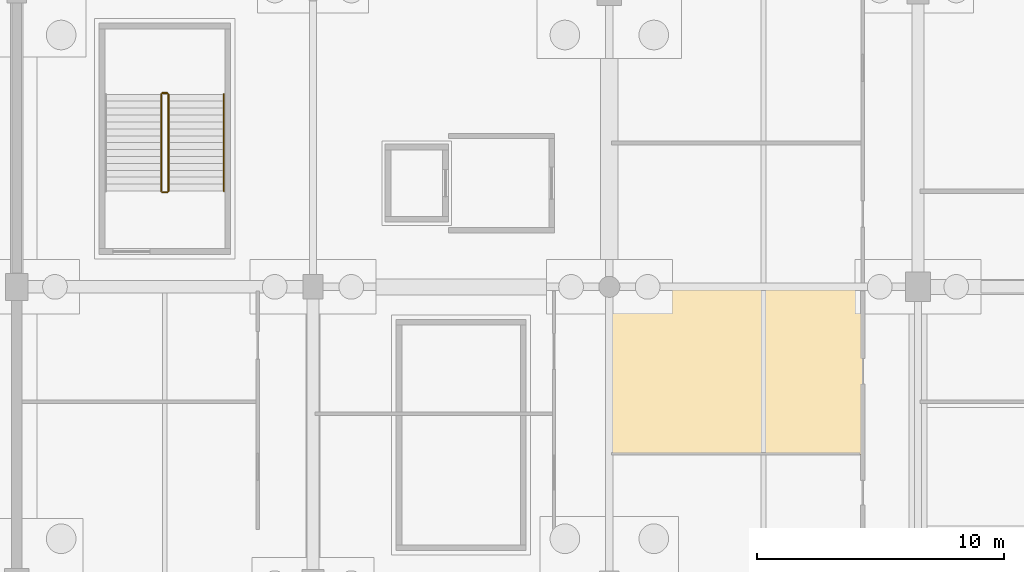
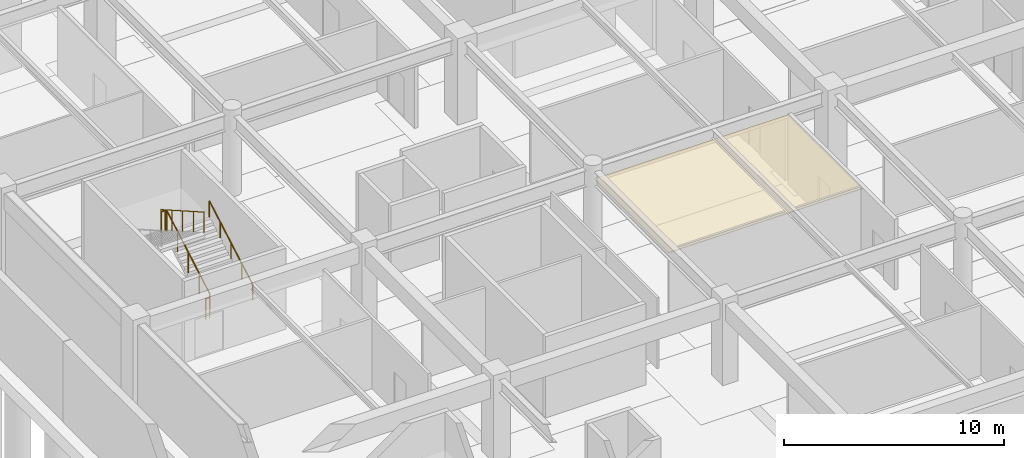
# One storey, part 49 of 56: 5 railings, 1 covering.
"""IFC4 building model written with IfcOpenShell, lengths in metres."""

from ifc_helpers import new_model, si_unit, direction, frame, origin, origin_2d, place, context, subcontext, project, spatial, polyline, circle, outline, extrude, material, layer, layer_set, type_object, element, save


model = new_model("IFC4")

# Units and contexts
model_context = context("Model", 3, precision=1e-05, world=origin(), true_north=direction((0.0, 1.0)))
body_context = subcontext(model_context, "Body", "Model", "MODEL_VIEW")
ifc_project = project(units=[si_unit("LENGTHUNIT", "METRE"), si_unit("AREAUNIT", "SQUARE_METRE"), si_unit("VOLUMEUNIT", "CUBIC_METRE"), si_unit("PLANEANGLEUNIT", "RADIAN"), si_unit("MASSUNIT", "GRAM", prefix="KILO")], contexts=[model_context])

# Site, building, storey
site_placement = place(None, origin())
site = spatial("IfcSite", under=ifc_project, at=site_placement, CompositionType="ELEMENT")
building_placement = place(site_placement, origin())
building = spatial("IfcBuilding", under=site, at=building_placement, Name="Kazenohara Klinker Stadium", CompositionType="ELEMENT")
storey_placement = place(building_placement, frame((0.0, 0.0, -4.800048828125)))
storey = spatial("IfcBuildingStorey", under=building, at=storey_placement, Name="B01", CompositionType="ELEMENT", Elevation=-4.800048828125)

# Covering
ifc_material_1 = material(Name="Slatted Hokkaido cedar acoustic baffle ceiling", Category="wood")
ifc_layer_1 = layer(ifc_material_1, 0.0400390625)
ifc_layer_set_1 = layer_set([ifc_layer_1], Name="Slatted Hokkaido cedar acoustic baffle ceiling")
covering_type = type_object("IfcCoveringType", Name="COV-CEIL-02", PredefinedType="CEILING", material=ifc_layer_set_1)
covering_placement = place(storey_placement, frame((0.0, 0.0, 3.739990234375)))
element("IfcCovering", 1, at=covering_placement, inside=storey, type_object=covering_type, Name="Suspended acoustic ceiling CL02 Mixed Zone Broadcast Interview Studio B01-0208B", PredefinedType="CEILING", context=body_context, shape_type="SweptSolid", body=[
    extrude(outline(polyline([(24.06005859375, 101.205078125), (34.2900390625, 101.205078125), (34.2900390625, 107.9599609375), (24.06005859375, 107.9599609375), (24.06005859375, 101.205078125)])), origin(), (0.0, 0.0, 1.0), 0.0400390625),
])

# Railings
ifc_material_2 = material(Name="Brushed stainless steel 304 handrail", Category="steel")
ifc_layer_2 = layer(ifc_material_2, 0.050048828125)
ifc_layer_set_2 = layer_set([ifc_layer_2], Name="Brushed stainless steel 304 handrail")
railing_type_1 = type_object("IfcRailingType", Name="RL-HND-900", PredefinedType="HANDRAIL", material=ifc_layer_set_2)
railing_1_placement = place(storey_placement, frame((8.389892578125, 111.8798828125, 0.16015625)))
element("IfcRailing", 2, at=railing_1_placement, inside=storey, type_object=railing_type_1, Name="B01 ST04 stair handrail 1", PredefinedType="HANDRAIL", context=body_context, shape_type="SweptSolid", body=[
    extrude(circle(Radius=0.02392578125, at=origin_2d()), frame((0.0, 0.0, 0.8759765625), z_axis=(0.0, 0.86825312469, 0.496121468458), x_axis=(-1.0, 0.0, 0.0)), (0.0, 0.0, 1.0), 4.514892578125),
    extrude(circle(Radius=0.02099609375, at=origin_2d()), origin(), (0.0, 0.0, 1.0), 0.851806640625),
    extrude(circle(Radius=0.02099609375, at=origin_2d()), frame((0.0, 0.97998046875, 0.56005859375)), (0.0, 0.0, 1.0), 0.851806640625),
    extrude(circle(Radius=0.02099609375, at=origin_2d()), frame((0.0, 1.9599609375, 1.1201171875)), (0.0, 0.0, 1.0), 0.851806640625),
    extrude(circle(Radius=0.02099609375, at=origin_2d()), frame((0.0, 2.940185546875, 1.679931640625)), (0.0, 0.0, 1.0), 0.851806640625),
    extrude(circle(Radius=0.02099609375, at=origin_2d()), frame((0.0, 3.920166015625, 2.239990234375)), (0.0, 0.0, 1.0), 0.851806640625),
])
ifc_material_3 = material(Name="Painted steel stairwell guardrail", Category="steel")
ifc_layer_3 = layer(ifc_material_3, 0.06005859375)
ifc_layer_set_3 = layer_set([ifc_layer_3], Name="Painted steel stairwell guardrail")
railing_type_2 = type_object("IfcRailingType", Name="RL-STG-1120", PredefinedType="GUARDRAIL", material=ifc_layer_set_3)
railing_2_placement = place(storey_placement, frame((6.14990234375, 111.8798828125, 0.16015625)))
element("IfcRailing", 3, at=railing_2_placement, inside=storey, type_object=railing_type_2, Name="B01 ST04 stair guard 1", PredefinedType="GUARDRAIL", context=body_context, shape_type="SweptSolid", body=[
    extrude(circle(Radius=0.02392578125, at=origin_2d()), frame((0.0, 0.0, 1.1259765625), z_axis=(0.0, 0.86825312469, 0.496121468458), x_axis=(-1.0, 0.0, 0.0)), (0.0, 0.0, 1.0), 4.514892578125),
    extrude(circle(Radius=0.02099609375, at=origin_2d()), origin(), (0.0, 0.0, 1.0), 1.101806640625),
    extrude(circle(Radius=0.02099609375, at=origin_2d()), frame((0.0, 0.97998046875, 0.56005859375)), (0.0, 0.0, 1.0), 1.101806640625),
    extrude(circle(Radius=0.02099609375, at=origin_2d()), frame((0.0, 1.9599609375, 1.1201171875)), (0.0, 0.0, 1.0), 1.101806640625),
    extrude(circle(Radius=0.02099609375, at=origin_2d()), frame((0.0, 2.940185546875, 1.679931640625)), (0.0, 0.0, 1.0), 1.101806640625),
    extrude(circle(Radius=0.02099609375, at=origin_2d()), frame((0.0, 3.920166015625, 2.239990234375)), (0.0, 0.0, 1.0), 1.101806640625),
])
railing_3_placement = place(storey_placement, frame((6.10009765625, 115.85009765625, 2.400146484375)))
element("IfcRailing", 4, at=railing_3_placement, inside=storey, type_object=railing_type_2, Name="B01 ST04 stair guard 2", PredefinedType="GUARDRAIL", context=body_context, shape_type="SweptSolid", body=[
    extrude(circle(Radius=0.02392578125, at=origin_2d()), frame((0.0, 0.0, 1.1259765625), z_axis=(-1.0, 0.0, 0.0), x_axis=(0.0, -1.0, 0.0)), (0.0, 0.0, 1.0), 0.2001953125),
    extrude(circle(Radius=0.02099609375, at=origin_2d()), origin(), (0.0, 0.0, 1.0), 1.101806640625),
    extrude(circle(Radius=0.02099609375, at=origin_2d()), frame((-0.2001953125, 0.0, 0.0)), (0.0, 0.0, 1.0), 1.101806640625),
])
railing_4_placement = place(storey_placement, frame((5.85009765625, 115.800048828125, 2.56005859375)))
element("IfcRailing", 5, at=railing_4_placement, inside=storey, type_object=railing_type_2, Name="B01 ST04 stair guard 3", PredefinedType="GUARDRAIL", context=body_context, shape_type="SweptSolid", body=[
    extrude(circle(Radius=0.02392578125, at=origin_2d()), frame((0.0, 0.0, 1.1259765625), z_axis=(0.0, -0.86825312469, 0.496121468458), x_axis=(1.0, 0.0, 0.0)), (0.0, 0.0, 1.0), 4.514892578125),
    extrude(circle(Radius=0.02099609375, at=origin_2d()), origin(), (0.0, 0.0, 1.0), 1.101806640625),
    extrude(circle(Radius=0.02099609375, at=origin_2d()), frame((0.0, -0.97998046875, 0.56005859375)), (0.0, 0.0, 1.0), 1.101806640625),
    extrude(circle(Radius=0.02099609375, at=origin_2d()), frame((0.0, -1.9599609375, 1.1201171875)), (0.0, 0.0, 1.0), 1.101806640625),
    extrude(circle(Radius=0.02099609375, at=origin_2d()), frame((0.0, -2.940185546875, 1.679931640625)), (0.0, 0.0, 1.0), 1.101806640625),
    extrude(circle(Radius=0.02099609375, at=origin_2d()), frame((0.0, -3.920166015625, 2.239990234375)), (0.0, 0.0, 1.0), 1.101806640625),
])
railing_5_placement = place(storey_placement, frame((6.10009765625, 111.830078125, 0.0)))
element("IfcRailing", 6, at=railing_5_placement, inside=storey, type_object=railing_type_2, Name="B01 ST04 stair guard 4", PredefinedType="GUARDRAIL", context=body_context, shape_type="SweptSolid", body=[
    extrude(circle(Radius=0.02392578125, at=origin_2d()), frame((0.0, 0.0, 1.1259765625), z_axis=(-1.0, 0.0, 0.0), x_axis=(0.0, -1.0, 0.0)), (0.0, 0.0, 1.0), 0.2001953125),
    extrude(circle(Radius=0.02099609375, at=origin_2d()), origin(), (0.0, 0.0, 1.0), 1.101806640625),
    extrude(circle(Radius=0.02099609375, at=origin_2d()), frame((-0.2001953125, 0.0, 0.0)), (0.0, 0.0, 1.0), 1.101806640625),
])

save(model, "model.ifc")
